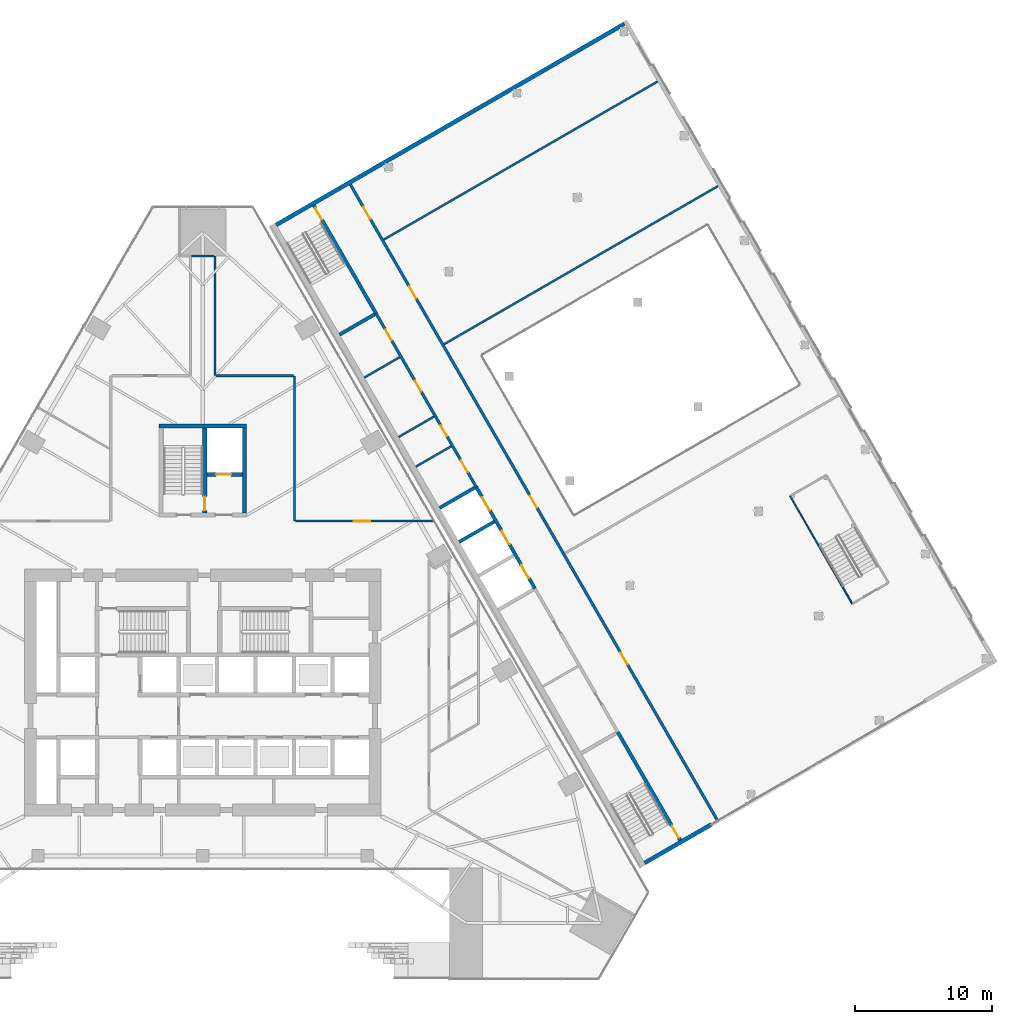
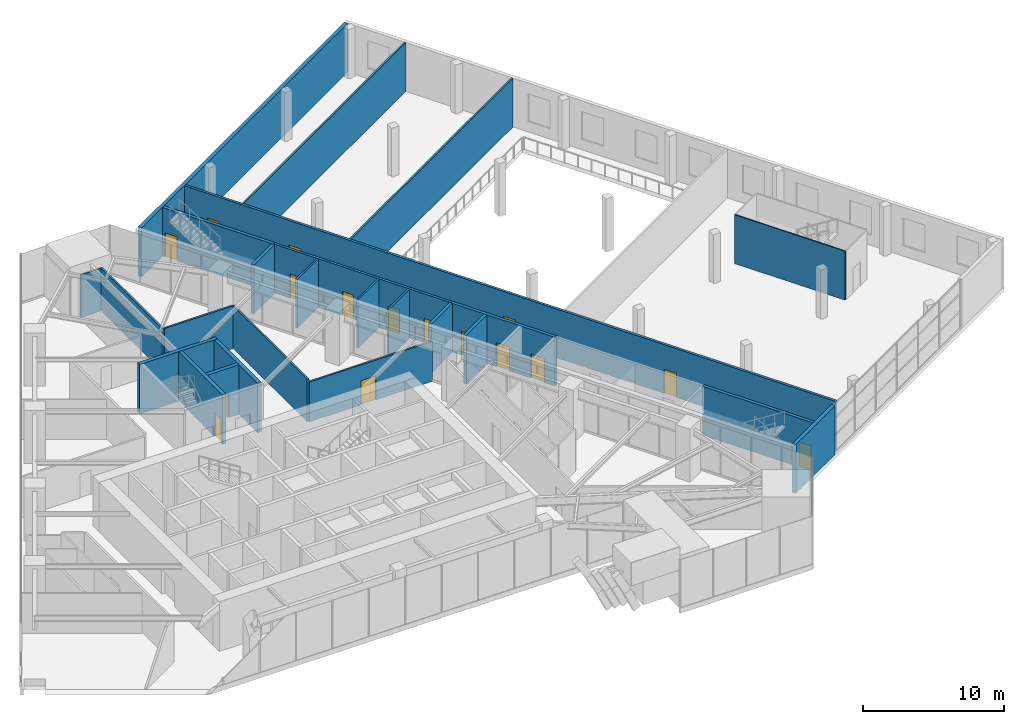
# One storey, part 20 of 30: 25 walls, 16 doors, 16 openings.
"""IFC4 building model written with IfcOpenShell, lengths in metres."""

import ifcopenshell
import ifcopenshell.guid

model = None  # the IFC model being written
_history = None  # IfcOwnerHistory: only IFC2X3 demands one
_inside = {}  # id of a spatial element -> (the spatial element, [elements in it])
_under = {}  # id of a project, library or spatial element -> (it, [spatial elements below it])
_declared = {}  # id of a project -> (the project, [libraries it declares])
_typed = {}  # id of a type object -> (the type object, [elements of that type])
_made_of = {}  # id of a material, layer set ... -> (it, [elements and type objects made of it])


def new_model(schema):
    """Start an empty IFC model of exactly this schema.

    Asked for "IFC4X3", IfcOpenShell would pick the latest addendum, in which some entities
    have other attributes; the version numbers below select the first issue.
    IFC2X3 requires an IfcOwnerHistory on every rooted entity: one is made here for all.
    """
    global model, _history
    if schema == "IFC4X3":
        model = ifcopenshell.file(schema_version=(4, 3, 0, 0))
    else:
        model = ifcopenshell.file(schema=schema)
    _inside.clear()
    _under.clear()
    _declared.clear()
    _typed.clear()
    _made_of.clear()
    _history = None
    if model.schema == "IFC2X3":
        org = make("IfcOrganization", Name="unknown")
        user = make(
            "IfcPersonAndOrganization",
            ThePerson=make("IfcPerson", FamilyName="unknown"),
            TheOrganization=org,
        )
        app = make(
            "IfcApplication",
            ApplicationDeveloper=org,
            Version="unknown",
            ApplicationFullName="unknown",
            ApplicationIdentifier="unknown",
        )
        _history = make(
            "IfcOwnerHistory",
            OwningUser=user,
            OwningApplication=app,
            ChangeAction="ADDED",
            CreationDate=0,
        )
    return model


def make(cls, **values):
    """One entity of the class cls with the attributes given. An attribute that is None is left unset."""
    return model.create_entity(
        cls, **{name: value for name, value in values.items() if value is not None}
    )


def rooted(cls, **values):
    """An entity with a GlobalId (a new one), such as an element, a storey or a relation."""
    return make(cls, GlobalId=ifcopenshell.guid.new(), OwnerHistory=_history, **values)


def si_unit(unit_type, name, prefix=None):
    """IfcSIUnit, for example si_unit("LENGTHUNIT", "METRE", prefix="MILLI")."""
    return make("IfcSIUnit", UnitType=unit_type, Prefix=prefix, Name=name)


def assignment(units):
    """IfcUnitAssignment: the units of a project."""
    return None if units is None else make("IfcUnitAssignment", Units=units)


def point(xyz):
    """IfcCartesianPoint."""
    return None if xyz is None else make("IfcCartesianPoint", Coordinates=xyz)


def direction(xyz):
    """IfcDirection."""
    return None if xyz is None else make("IfcDirection", DirectionRatios=xyz)


def frame(location, z_axis=None, x_axis=None):
    """IfcAxis2Placement3D, a coordinate frame: its origin and axes. An axis left out is left unset."""
    return make(
        "IfcAxis2Placement3D",
        Location=point(location),
        Axis=direction(z_axis),
        RefDirection=direction(x_axis),
    )


def frame_2d(location, x_axis=None):
    """IfcAxis2Placement2D, a coordinate frame in the plane: its origin and x axis."""
    return make(
        "IfcAxis2Placement2D", Location=point(location), RefDirection=direction(x_axis)
    )


def origin():
    """The frame at (0, 0, 0) with its axes left unset."""
    return frame((0.0, 0.0, 0.0))


def place(relative_to, where):
    """IfcLocalPlacement: puts the frame where relative to a parent placement (None: the world)."""
    return make(
        "IfcLocalPlacement", PlacementRelTo=relative_to, RelativePlacement=where
    )


def context(
    kind, dimensions, precision=None, world=None, true_north=None, identifier=None
):
    """IfcGeometricRepresentationContext, for example the 3D "Model" context."""
    return make(
        "IfcGeometricRepresentationContext",
        ContextIdentifier=identifier,
        ContextType=kind,
        CoordinateSpaceDimension=dimensions,
        Precision=precision,
        WorldCoordinateSystem=world,
        TrueNorth=true_north,
    )


def subcontext(parent, identifier, kind, view, scale=None):
    """IfcGeometricRepresentationSubContext, for example "Body" below "Model"."""
    return make(
        "IfcGeometricRepresentationSubContext",
        ContextIdentifier=identifier,
        ContextType=kind,
        ParentContext=parent,
        TargetScale=scale,
        TargetView=view,
    )


def project(units=None, contexts=None):
    """IfcProject with its units and contexts."""
    return rooted(
        "IfcProject",
        Name="project",
        RepresentationContexts=contexts,
        UnitsInContext=assignment(units),
    )


def spatial(cls, under=None, at=None, **own):
    """A site, building, storey or space (cls), placed at a placement, below another one or the project."""
    s = rooted(cls, ObjectPlacement=at, **own)
    if under is not None:
        _under.setdefault(under.id(), (under, []))[1].append(s)
    return s


def profile(cls, at=None, kind="AREA", **sizes):
    """A parametric profile (cls). Its sizes go by their IFC names, for example OverallWidth=200.0."""
    return make(cls, ProfileType=kind, Position=at, **sizes)


def rectangle(**sizes):
    """IfcRectangleProfileDef."""
    return profile("IfcRectangleProfileDef", **sizes)


def extrude(swept, where, along, depth):
    """IfcExtrudedAreaSolid: the profile swept, set in the frame where, extruded along a direction by depth."""
    return make(
        "IfcExtrudedAreaSolid",
        SweptArea=swept,
        Position=where,
        ExtrudedDirection=direction(along),
        Depth=depth,
    )


def shape(context_of_items, identifier, shape_type, items):
    """IfcShapeRepresentation: the items that make up one representation, for example the "Body"."""
    return make(
        "IfcShapeRepresentation",
        ContextOfItems=context_of_items,
        RepresentationIdentifier=identifier,
        RepresentationType=shape_type,
        Items=items,
    )


def material(Name=None, Category=None):
    """IfcMaterial."""
    return make("IfcMaterial", Name=Name, Category=Category)


def layer(
    of_material, thickness, ventilated=None, Name=None, Category=None, Priority=None
):
    """IfcMaterialLayer: one layer of a wall or slab, of a material (None: an air gap)."""
    return make(
        "IfcMaterialLayer",
        Material=of_material,
        LayerThickness=thickness,
        IsVentilated=ventilated,
        Name=Name,
        Category=Category,
        Priority=Priority,
    )


def layer_set(layers, Name=None):
    """IfcMaterialLayerSet."""
    return make("IfcMaterialLayerSet", MaterialLayers=layers, LayerSetName=Name)


def made_of(thing, what):
    """Note that an element or type object is made of a material, layer set ...; save() writes the relation."""
    if what is not None:
        _made_of.setdefault(what.id(), (what, []))[1].append(thing)
    return thing


def type_object(cls, material=None, **own):
    """A type object (cls), such as IfcWallType, which elements share."""
    return made_of(rooted(cls, **own), material)


def element(
    cls,
    number,
    at=None,
    inside=None,
    cuts=None,
    type_object=None,
    material=None,
    context=None,
    identifier="Body",
    shape_type=None,
    held_by="IfcProductDefinitionShape",
    body=None,
    shapes=None,
    **own,
):
    """One element of the class cls, such as IfcWall. Its Tag is "e" and its number.

    at: its placement. inside: the storey or other place that contains it. cuts: it is an
    opening in that element (IfcRelVoidsElement). A single representation is given by context,
    identifier, shape_type and body (its items); several are given by shapes. held_by: the class
    of the entity that holds the representations. save() writes the other relations.
    """
    e = rooted(cls, Tag="e%d" % number, ObjectPlacement=at, **own)
    if body is not None:
        shapes = [shape(context, identifier, shape_type, body)]
    if shapes is not None:
        e.Representation = make(held_by, Representations=shapes)
    if inside is not None:
        _inside.setdefault(inside.id(), (inside, []))[1].append(e)
    if cuts is not None:
        rooted(
            "IfcRelVoidsElement", RelatingBuildingElement=cuts, RelatedOpeningElement=e
        )
    if type_object is not None:
        _typed.setdefault(type_object.id(), (type_object, []))[1].append(e)
    return made_of(e, material)


def fill(opening, filler):
    """IfcRelFillsElement: the door or window that sits in an opening."""
    return rooted(
        "IfcRelFillsElement",
        RelatingOpeningElement=opening,
        RelatedBuildingElement=filler,
    )


def aggregate(whole, parts):
    """IfcRelAggregates: a whole, such as a stair, and the parts it consists of."""
    return rooted("IfcRelAggregates", RelatingObject=whole, RelatedObjects=parts)


def save(model, path):
    """Write the relations noted so far, then the file.

    IfcRelAggregates (storeys below a building ...), IfcRelContainedInSpatialStructure (elements
    in a storey), IfcRelDefinesByType, IfcRelAssociatesMaterial and IfcRelDeclares: one each for
    every whole, place, type object, material and project.
    """
    for whole, parts in _under.values():
        aggregate(whole, parts)
    for where, things in _inside.values():
        rooted(
            "IfcRelContainedInSpatialStructure",
            RelatedElements=things,
            RelatingStructure=where,
        )
    for kind, things in _typed.values():
        rooted("IfcRelDefinesByType", RelatedObjects=things, RelatingType=kind)
    for what, things in _made_of.values():
        rooted("IfcRelAssociatesMaterial", RelatedObjects=things, RelatingMaterial=what)
    for by, libraries in _declared.values():
        rooted("IfcRelDeclares", RelatingContext=by, RelatedDefinitions=libraries)
    model.write(path)


model = new_model("IFC4")

# Units and contexts
model_context = context("Model", 3, precision=1e-05, world=origin(), true_north=direction((0.0, 1.0)))
body_context = subcontext(model_context, "Body", "Model", "MODEL_VIEW")
ifc_project = project(units=[si_unit("LENGTHUNIT", "METRE"), si_unit("AREAUNIT", "SQUARE_METRE"), si_unit("VOLUMEUNIT", "CUBIC_METRE"), si_unit("PLANEANGLEUNIT", "RADIAN"), si_unit("MASSUNIT", "GRAM", prefix="KILO")], contexts=[model_context])

# Site, building, storey
site_placement = place(None, origin())
site = spatial("IfcSite", under=ifc_project, at=site_placement, CompositionType="ELEMENT")
building_placement = place(site_placement, origin())
building = spatial("IfcBuilding", under=site, at=building_placement, Name="Firuza Gate Tower and Library", CompositionType="ELEMENT")
storey_placement = place(building_placement, frame((0.0, 0.0, 12.60009765625)))
storey = spatial("IfcBuildingStorey", under=building, at=storey_placement, Name="L02", CompositionType="ELEMENT", Elevation=12.60009765625)

# Walls
ifc_material_1 = material(Name="Concrete C80/95", Category="concrete")
ifc_layer_1 = layer(ifc_material_1, 0.300048828125)
ifc_layer_set_1 = layer_set([ifc_layer_1], Name="Core wall 300 C80/95")
wall_type_1 = type_object("IfcWallType", Name="Core wall 300 C80/95", PredefinedType="SHEAR", material=ifc_layer_set_1)
wall_1_placement = place(storey_placement, frame((71.800048828125, 94.449951171875, 0.0), z_axis=(0.0, 0.0, 1.0), x_axis=(1.0, 0.0, 0.0)))
element("IfcWall", 1, at=wall_1_placement, inside=storey, type_object=wall_type_1, Name="Core wall L02 35", PredefinedType="SHEAR", context=body_context, shape_type="SweptSolid", body=[
    extrude(rectangle(XDim=6.39990234375, YDim=0.300048828125, at=frame_2d((3.199951171875, 0.0))), origin(), (0.0, 0.0, 1.0), 4.2998046875),
])
wall_2_placement = place(storey_placement, frame((78.050048828125, 88.10009765625, 0.0), z_axis=(0.0, 0.0, 1.0), x_axis=(0.0, 1.0, 0.0)))
element("IfcWall", 2, at=wall_2_placement, inside=storey, type_object=wall_type_1, Name="Core wall L02 37", PredefinedType="SHEAR", context=body_context, shape_type="SweptSolid", body=[
    extrude(rectangle(XDim=6.199951171875, YDim=0.300048828125, at=frame_2d((3.10009765625, 0.0))), origin(), (0.0, 0.0, 1.0), 4.2998046875),
])

# Wall, opening, door
wall_3_placement = place(storey_placement, frame((75.300048828125, 90.89990234375, 0.0), z_axis=(0.0, 0.0, 1.0), x_axis=(1.0, 0.0, 0.0)))
wall_3 = element("IfcWall", 3, at=wall_3_placement, inside=storey, type_object=wall_type_1, Name="Core wall L02 38", PredefinedType="SHEAR", context=body_context, shape_type="SweptSolid", body=[
    extrude(rectangle(XDim=2.599853515625, YDim=0.300048828125, at=frame_2d((1.2998046875, 0.0))), origin(), (0.0, 0.0, 1.0), 4.2998046875),
])
opening_1_placement = place(wall_3_placement, frame((0.675048828125, 0.0, 0.0)))
opening_1 = element("IfcOpeningElement", 4, at=opening_1_placement, cuts=wall_3, Name="Opening LD-SV1-L02", PredefinedType="OPENING", context=body_context, shape_type="SweptSolid", body=[
    extrude(rectangle(XDim=1.10009765625, YDim=2.10009765625, at=frame_2d((0.550048828125, 1.050048828125))), frame((0.0, 0.16015625, 0.0), z_axis=(0.0, -1.0, 0.0), x_axis=(1.0, 0.0, 0.0)), (0.0, 0.0, 1.0), 0.320068359375),
])
ifc_material_2 = material(Name="Stainless steel", Category="steel")
door_type_1 = type_object("IfcDoorType", Name="Lift landing door 1100x2100", OperationType="DOUBLE_DOOR_SLIDING", PredefinedType="DOOR", material=ifc_material_2)
door_1_placement = place(opening_1_placement, origin())
door_1 = element("IfcDoor", 5, at=door_1_placement, inside=storey, type_object=door_type_1, Name="Landing door SV1 L02", OperationType="DOUBLE_DOOR_SLIDING", OverallHeight=2.10009765625, OverallWidth=1.10009765625, PredefinedType="DOOR", context=body_context, shape_type="SweptSolid", body=[
    extrude(rectangle(XDim=1.10009765625, YDim=2.10009765625, at=frame_2d((0.550048828125, 1.050048828125))), frame((0.0, 0.02490234375, 0.0), z_axis=(0.0, -1.0, 0.0), x_axis=(1.0, 0.0, 0.0)), (0.0, 0.0, 1.0), 0.050048828125),
])
fill(opening_1, door_1)

wall_4_placement = place(storey_placement, frame((75.14990234375, 88.10009765625, 0.0), z_axis=(0.0, 0.0, 1.0), x_axis=(0.0, 1.0, 0.0)))
wall_4 = element("IfcWall", 6, at=wall_4_placement, inside=storey, type_object=wall_type_1, Name="Core wall L02 39", PredefinedType="SHEAR", context=body_context, shape_type="SweptSolid", body=[
    extrude(rectangle(XDim=6.199951171875, YDim=0.300048828125, at=frame_2d((3.10009765625, 0.0))), origin(), (0.0, 0.0, 1.0), 4.2998046875),
])
opening_2_placement = place(wall_4_placement, frame((0.18505859375, 0.0, 0.0)))
opening_2 = element("IfcOpeningElement", 7, at=opening_2_placement, cuts=wall_4, Name="Opening L02-K18", PredefinedType="OPENING", context=body_context, shape_type="SweptSolid", body=[
    extrude(rectangle(XDim=1.0, YDim=2.10009765625, at=frame_2d((0.5, 1.050048828125))), frame((0.0, 0.16015625, 0.0), z_axis=(0.0, -1.0, 0.0), x_axis=(1.0, 0.0, 0.0)), (0.0, 0.0, 1.0), 0.320068359375),
])
ifc_material_3 = material(Name="Steel", Category="steel")
door_type_2 = type_object("IfcDoorType", Name="Fire door 1000x2100 FD90", OperationType="NOTDEFINED", PredefinedType="DOOR", material=ifc_material_3)
door_2_placement = place(opening_2_placement, origin())
door_2 = element("IfcDoor", 8, at=door_2_placement, inside=storey, type_object=door_type_2, Name="Door L02-K18", OperationType="SINGLE_SWING_LEFT", OverallHeight=2.10009765625, OverallWidth=1.0, PredefinedType="DOOR", context=body_context, shape_type="SweptSolid", body=[
    extrude(rectangle(XDim=1.0, YDim=2.10009765625, at=frame_2d((0.5, 1.050048828125))), frame((0.0, 0.02490234375, 0.0), z_axis=(0.0, -1.0, 0.0), x_axis=(1.0, 0.0, 0.0)), (0.0, 0.0, 1.0), 0.050048828125),
])
fill(opening_2, door_2)

ifc_material_4 = material(Name="Gypsum board partition")
ifc_layer_2 = layer(ifc_material_4, 0.14990234375)
ifc_layer_set_2 = layer_set([ifc_layer_2], Name="Corridor wall 150 double board on steel studs")
wall_type_2 = type_object("IfcWallType", Name="Corridor wall 150 double board on steel studs", PredefinedType="PARTITIONING", material=ifc_layer_set_2)
wall_5_placement = place(storey_placement, frame((81.775146484375, 87.499755859375, 0.0), z_axis=(0.0, 0.0, 1.0), x_axis=(1.0, 0.0, 0.0)))
wall_5 = element("IfcWall", 9, at=wall_5_placement, inside=storey, type_object=wall_type_2, Name="f:L02:w001", PredefinedType="PARTITIONING", context=body_context, shape_type="SweptSolid", body=[
    extrude(rectangle(XDim=10.077392578125, YDim=0.14990234375, at=frame_2d((5.03857421875, 0.0))), origin(), (0.0, 0.0, 1.0), 3.46484375),
])
opening_3_placement = place(wall_5_placement, frame((4.23095703125, 0.0, 0.0)))
opening_3 = element("IfcOpeningElement", 10, at=opening_3_placement, cuts=wall_5, Name="Opening L02-02", PredefinedType="OPENING", context=body_context, shape_type="SweptSolid", body=[
    extrude(rectangle(XDim=1.199951171875, YDim=2.10009765625, at=frame_2d((0.60009765625, 1.050048828125))), frame((0.0, 0.0849609375, 0.0), z_axis=(0.0, -1.0, 0.0), x_axis=(1.0, 0.0, 0.0)), (0.0, 0.0, 1.0), 0.169921875),
])
ifc_material_5 = material(Name="Steel door and timber leaf", Category="steel")
door_type_3 = type_object("IfcDoorType", Name="Fire door 1200 x 2100 steel frame, double leaf", OperationType="NOTDEFINED", PredefinedType="DOOR", material=ifc_material_5)
door_3_placement = place(opening_3_placement, origin())
door_3 = element("IfcDoor", 11, at=door_3_placement, inside=storey, type_object=door_type_3, Name="f:L02:d002", OperationType="DOUBLE_DOOR_SINGLE_SWING", OverallHeight=2.10009765625, OverallWidth=1.199951171875, PredefinedType="DOOR", context=body_context, shape_type="SweptSolid", body=[
    extrude(rectangle(XDim=1.199951171875, YDim=2.10009765625, at=frame_2d((0.60009765625, 1.050048828125))), frame((0.0, 0.02490234375, 0.0), z_axis=(0.0, -1.0, 0.0), x_axis=(1.0, 0.0, 0.0)), (0.0, 0.0, 1.0), 0.050048828125),
])
fill(opening_3, door_3)

# Walls
wall_6_placement = place(storey_placement, frame((75.97509765625, 98.10009765625, 0.0), z_axis=(0.0, 0.0, 1.0), x_axis=(1.0, 0.0, 0.0)))
element("IfcWall", 12, at=wall_6_placement, inside=storey, type_object=wall_type_2, Name="f:L02:w003", PredefinedType="PARTITIONING", context=body_context, shape_type="SweptSolid", body=[
    extrude(rectangle(XDim=5.6494140625, YDim=0.14990234375, at=frame_2d((2.82470703125, 0.0))), origin(), (0.0, 0.0, 1.0), 3.699951171875),
])
wall_7_placement = place(storey_placement, frame((81.699951171875, 87.5, 0.0), z_axis=(0.0, 0.0, 1.0), x_axis=(0.0, 1.0, 0.0)))
element("IfcWall", 13, at=wall_7_placement, inside=storey, type_object=wall_type_2, Name="f:L02:w016", PredefinedType="PARTITIONING", context=body_context, shape_type="SweptSolid", body=[
    extrude(rectangle(XDim=10.599365234375, YDim=0.14990234375, at=frame_2d((5.2998046875, 0.0))), origin(), (0.0, 0.0, 1.0), 3.699951171875),
])
wall_8_placement = place(storey_placement, frame((75.89990234375, 98.10009765625, 0.0), z_axis=(0.0, 0.0, 1.0), x_axis=(0.0, 1.0, 0.0)))
element("IfcWall", 14, at=wall_8_placement, inside=storey, type_object=wall_type_2, Name="f:L02:w017", PredefinedType="PARTITIONING", context=body_context, shape_type="SweptSolid", body=[
    extrude(rectangle(XDim=8.733154296875, YDim=0.14990234375, at=frame_2d((4.36669921875, 0.0))), origin(), (0.0, 0.0, 1.0), 3.699951171875),
])
wall_9_placement = place(storey_placement, frame((74.175048828125, 106.833984375, 0.0), z_axis=(0.0, 0.0, 1.0), x_axis=(1.0, 0.0, 0.0)))
element("IfcWall", 15, at=wall_9_placement, inside=storey, type_object=wall_type_2, Name="f:L02:w034", PredefinedType="PARTITIONING", context=body_context, shape_type="SweptSolid", body=[
    extrude(rectangle(XDim=1.6494140625, YDim=0.14990234375, at=frame_2d((0.82470703125, 0.0))), origin(), (0.0, 0.0, 1.0), 3.697021484375),
])

# Wall, openings, doors
ifc_material_6 = material(Name="Masonry block", Category="masonry")
ifc_layer_3 = layer(ifc_material_6, 0.199951171875)
ifc_layer_set_3 = layer_set([ifc_layer_3], Name="LIB CORRIDOR WALL 200")
wall_type_3 = type_object("IfcWallType", Name="LIB CORRIDOR WALL 200", PredefinedType="PARTITIONING", material=ifc_layer_set_3)
wall_10_placement = place(storey_placement, frame((94.929931640625, 89.99951171875, 0.0), z_axis=(0.0, 0.0, 1.0), x_axis=(-0.499997667785, 0.866026750285, 0.0)))
wall_10 = element("IfcWall", 16, at=wall_10_placement, inside=storey, type_object=wall_type_3, Name="L02 corr wall 7", PredefinedType="PARTITIONING", context=body_context, shape_type="SweptSolid", body=[
    extrude(rectangle(XDim=14.58984375, YDim=0.199951171875, at=frame_2d((7.294921875, 0.0))), origin(), (0.0, 0.0, 1.0), 4.239990234375),
])
opening_4_placement = place(wall_10_placement, frame((1.235107421875, 0.0, 0.0)))
opening_4 = element("IfcOpeningElement", 17, at=opening_4_placement, cuts=wall_10, Name="Opening LIB-D2-001", PredefinedType="OPENING", context=body_context, shape_type="SweptSolid", body=[
    extrude(rectangle(XDim=1.0, YDim=2.10009765625, at=frame_2d((0.5, 1.050048828125))), frame((0.0, 0.10986328125, 0.0), z_axis=(0.0, -1.0, 0.0), x_axis=(1.0, 0.0, 0.0)), (0.0, 0.0, 1.0), 0.219970703125),
])
opening_5_placement = place(wall_10_placement, frame((4.27490234375, 0.0, 0.0)))
opening_5 = element("IfcOpeningElement", 18, at=opening_5_placement, cuts=wall_10, Name="Opening LIB-D1-003", PredefinedType="OPENING", context=body_context, shape_type="SweptSolid", body=[
    extrude(rectangle(XDim=0.89990234375, YDim=2.10009765625, at=frame_2d((0.449951171875, 1.050048828125))), frame((0.0, 0.10986328125, 0.0), z_axis=(0.0, -1.0, 0.0), x_axis=(1.0, 0.0, 0.0)), (0.0, 0.0, 1.0), 0.219970703125),
])
opening_6_placement = place(wall_10_placement, frame((8.02490234375, 0.0, 0.0)))
opening_6 = element("IfcOpeningElement", 19, at=opening_6_placement, cuts=wall_10, Name="Opening LIB-D1-004", PredefinedType="OPENING", context=body_context, shape_type="SweptSolid", body=[
    extrude(rectangle(XDim=0.89990234375, YDim=2.10009765625, at=frame_2d((0.449951171875, 1.050048828125))), frame((0.0, 0.10986328125, 0.0), z_axis=(0.0, -1.0, 0.0), x_axis=(1.0, 0.0, 0.0)), (0.0, 0.0, 1.0), 0.219970703125),
])
opening_7_placement = place(wall_10_placement, frame((12.324951171875, 0.0, 0.0)))
opening_7 = element("IfcOpeningElement", 20, at=opening_7_placement, cuts=wall_10, Name="Opening LIB-D1-005", PredefinedType="OPENING", context=body_context, shape_type="SweptSolid", body=[
    extrude(rectangle(XDim=0.89990234375, YDim=2.10009765625, at=frame_2d((0.449951171875, 1.050048828125))), frame((0.0, 0.10986328125, 0.0), z_axis=(0.0, -1.0, 0.0), x_axis=(1.0, 0.0, 0.0)), (0.0, 0.0, 1.0), 0.219970703125),
])
ifc_material_7 = material(Name="Timber door leaf", Category="wood")
door_type_4 = type_object("IfcDoorType", Name="LIB DOOR 1000", OperationType="NOTDEFINED", PredefinedType="DOOR", material=ifc_material_7)
door_4_placement = place(opening_4_placement, origin())
door_4 = element("IfcDoor", 21, at=door_4_placement, inside=storey, type_object=door_type_4, Name="L02 door 5", OperationType="SINGLE_SWING_LEFT", OverallHeight=2.10009765625, OverallWidth=1.0, PredefinedType="DOOR", context=body_context, shape_type="SweptSolid", body=[
    extrude(rectangle(XDim=1.0, YDim=2.10009765625, at=frame_2d((0.5, 1.050048828125))), frame((0.0, 0.02490234375, 0.0), z_axis=(0.0, -1.0, 0.0), x_axis=(1.0, 0.0, 0.0)), (0.0, 0.0, 1.0), 0.050048828125),
])
fill(opening_4, door_4)
ifc_material_8 = material(Name="Timber door leaf", Category="wood")
door_type_5 = type_object("IfcDoorType", Name="LIB DOOR 900", OperationType="NOTDEFINED", PredefinedType="DOOR", material=ifc_material_8)
door_5_placement = place(opening_5_placement, origin())
door_5 = element("IfcDoor", 22, at=door_5_placement, inside=storey, type_object=door_type_5, Name="L02 door 6", OperationType="SINGLE_SWING_RIGHT", OverallHeight=2.10009765625, OverallWidth=0.89990234375, PredefinedType="DOOR", context=body_context, shape_type="SweptSolid", body=[
    extrude(rectangle(XDim=0.89990234375, YDim=2.10009765625, at=frame_2d((0.449951171875, 1.050048828125))), frame((0.0, 0.02490234375, 0.0), z_axis=(0.0, -1.0, 0.0), x_axis=(1.0, 0.0, 0.0)), (0.0, 0.0, 1.0), 0.050048828125),
])
fill(opening_5, door_5)
door_6_placement = place(opening_6_placement, origin())
door_6 = element("IfcDoor", 23, at=door_6_placement, inside=storey, type_object=door_type_5, Name="L02 door 10", OperationType="SINGLE_SWING_RIGHT", OverallHeight=2.10009765625, OverallWidth=0.89990234375, PredefinedType="DOOR", context=body_context, shape_type="SweptSolid", body=[
    extrude(rectangle(XDim=0.89990234375, YDim=2.10009765625, at=frame_2d((0.449951171875, 1.050048828125))), frame((0.0, 0.02490234375, 0.0), z_axis=(0.0, -1.0, 0.0), x_axis=(1.0, 0.0, 0.0)), (0.0, 0.0, 1.0), 0.050048828125),
])
fill(opening_6, door_6)
door_7_placement = place(opening_7_placement, origin())
door_7 = element("IfcDoor", 24, at=door_7_placement, inside=storey, type_object=door_type_5, Name="L02 door 11", OperationType="SINGLE_SWING_LEFT", OverallHeight=2.10009765625, OverallWidth=0.89990234375, PredefinedType="DOOR", context=body_context, shape_type="SweptSolid", body=[
    extrude(rectangle(XDim=0.89990234375, YDim=2.10009765625, at=frame_2d((0.449951171875, 1.050048828125))), frame((0.0, 0.02490234375, 0.0), z_axis=(0.0, -1.0, 0.0), x_axis=(1.0, 0.0, 0.0)), (0.0, 0.0, 1.0), 0.050048828125),
])
fill(opening_7, door_7)

wall_11_placement = place(storey_placement, frame((112.49560546875, 65.72509765625, 0.0), z_axis=(0.0, 0.0, 1.0), x_axis=(-0.499998673217, 0.866026169802, 0.0)))
wall_11 = element("IfcWall", 25, at=wall_11_placement, inside=storey, type_object=wall_type_3, Name="L02 corr wall 16", PredefinedType="PARTITIONING", context=body_context, shape_type="SweptSolid", body=[
    extrude(rectangle(XDim=53.480224609375, YDim=0.199951171875, at=frame_2d((26.740234375, 0.0))), origin(), (0.0, 0.0, 1.0), 4.239990234375),
])
opening_8_placement = place(wall_11_placement, frame((13.080078125, 0.0, 0.0)))
opening_8 = element("IfcOpeningElement", 26, at=opening_8_placement, cuts=wall_11, Name="Opening LIB-D2-003", PredefinedType="OPENING", context=body_context, shape_type="SweptSolid", body=[
    extrude(rectangle(XDim=1.0, YDim=2.10009765625, at=frame_2d((0.5, 1.050048828125))), frame((0.0, 0.10986328125, 0.0), z_axis=(0.0, -1.0, 0.0), x_axis=(1.0, 0.0, 0.0)), (0.0, 0.0, 1.0), 0.219970703125),
])
opening_9_placement = place(wall_11_placement, frame((26.280029296875, 0.0, 0.0)))
opening_9 = element("IfcOpeningElement", 27, at=opening_9_placement, cuts=wall_11, Name="Opening LIB-D2-004", PredefinedType="OPENING", context=body_context, shape_type="SweptSolid", body=[
    extrude(rectangle(XDim=1.0, YDim=2.10009765625, at=frame_2d((0.5, 1.050048828125))), frame((0.0, 0.10986328125, 0.0), z_axis=(0.0, -1.0, 0.0), x_axis=(1.0, 0.0, 0.0)), (0.0, 0.0, 1.0), 0.219970703125),
])
opening_10_placement = place(wall_11_placement, frame((43.8798828125, 0.0, 0.0)))
opening_10 = element("IfcOpeningElement", 28, at=opening_10_placement, cuts=wall_11, Name="Opening LIB-D2-005", PredefinedType="OPENING", context=body_context, shape_type="SweptSolid", body=[
    extrude(rectangle(XDim=1.0, YDim=2.10009765625, at=frame_2d((0.5, 1.050048828125))), frame((0.0, 0.10986328125, 0.0), z_axis=(0.0, -1.0, 0.0), x_axis=(1.0, 0.0, 0.0)), (0.0, 0.0, 1.0), 0.219970703125),
])
opening_11_placement = place(wall_11_placement, frame((50.580078125, 0.0, 0.0)))
opening_11 = element("IfcOpeningElement", 29, at=opening_11_placement, cuts=wall_11, Name="Opening LIB-D2-006", PredefinedType="OPENING", context=body_context, shape_type="SweptSolid", body=[
    extrude(rectangle(XDim=1.0, YDim=2.10009765625, at=frame_2d((0.5, 1.050048828125))), frame((0.0, 0.10986328125, 0.0), z_axis=(0.0, -1.0, 0.0), x_axis=(1.0, 0.0, 0.0)), (0.0, 0.0, 1.0), 0.219970703125),
])
door_8_placement = place(opening_8_placement, origin())
door_8 = element("IfcDoor", 30, at=door_8_placement, inside=storey, type_object=door_type_4, Name="L02 door 13", OperationType="SINGLE_SWING_LEFT", OverallHeight=2.10009765625, OverallWidth=1.0, PredefinedType="DOOR", context=body_context, shape_type="SweptSolid", body=[
    extrude(rectangle(XDim=1.0, YDim=2.10009765625, at=frame_2d((0.5, 1.050048828125))), frame((0.0, 0.02490234375, 0.0), z_axis=(0.0, -1.0, 0.0), x_axis=(1.0, 0.0, 0.0)), (0.0, 0.0, 1.0), 0.050048828125),
])
fill(opening_8, door_8)
door_9_placement = place(opening_9_placement, origin())
door_9 = element("IfcDoor", 31, at=door_9_placement, inside=storey, type_object=door_type_4, Name="L02 door 14", OperationType="SINGLE_SWING_RIGHT", OverallHeight=2.10009765625, OverallWidth=1.0, PredefinedType="DOOR", context=body_context, shape_type="SweptSolid", body=[
    extrude(rectangle(XDim=1.0, YDim=2.10009765625, at=frame_2d((0.5, 1.050048828125))), frame((0.0, 0.02490234375, 0.0), z_axis=(0.0, -1.0, 0.0), x_axis=(1.0, 0.0, 0.0)), (0.0, 0.0, 1.0), 0.050048828125),
])
fill(opening_9, door_9)
door_10_placement = place(opening_10_placement, origin())
door_10 = element("IfcDoor", 32, at=door_10_placement, inside=storey, type_object=door_type_4, Name="L02 door 15", OperationType="SINGLE_SWING_LEFT", OverallHeight=2.10009765625, OverallWidth=1.0, PredefinedType="DOOR", context=body_context, shape_type="SweptSolid", body=[
    extrude(rectangle(XDim=1.0, YDim=2.10009765625, at=frame_2d((0.5, 1.050048828125))), frame((0.0, 0.02490234375, 0.0), z_axis=(0.0, -1.0, 0.0), x_axis=(1.0, 0.0, 0.0)), (0.0, 0.0, 1.0), 0.050048828125),
])
fill(opening_10, door_10)
door_11_placement = place(opening_11_placement, origin())
door_11 = element("IfcDoor", 33, at=door_11_placement, inside=storey, type_object=door_type_4, Name="L02 door 16", OperationType="SINGLE_SWING_RIGHT", OverallHeight=2.10009765625, OverallWidth=1.0, PredefinedType="DOOR", context=body_context, shape_type="SweptSolid", body=[
    extrude(rectangle(XDim=1.0, YDim=2.10009765625, at=frame_2d((0.5, 1.050048828125))), frame((0.0, 0.02490234375, 0.0), z_axis=(0.0, -1.0, 0.0), x_axis=(1.0, 0.0, 0.0)), (0.0, 0.0, 1.0), 0.050048828125),
])
fill(opening_11, door_11)

# Walls
ifc_material_9 = material(Name="Concrete C30/37", Category="concrete")
ifc_layer_4 = layer(ifc_material_9, 0.300048828125)
ifc_layer_set_4 = layer_set([ifc_layer_4], Name="LIB EXTERNAL WALL 300")
wall_type_4 = type_object("IfcWallType", Name="LIB EXTERNAL WALL 300", PredefinedType="SOLIDWALL", material=ifc_layer_set_4)
wall_12_placement = place(storey_placement, frame((107.204345703125, 62.589599609375, 0.0), z_axis=(0.0, 0.0, 1.0), x_axis=(0.866045472092, 0.499965239061, 0.0)))
element("IfcWall", 34, at=wall_12_placement, inside=storey, type_object=wall_type_4, Name="L02 south wall S1", PredefinedType="SOLIDWALL", context=body_context, shape_type="SweptSolid", body=[
    extrude(rectangle(XDim=5.60009765625, YDim=0.300048828125, at=frame_2d((2.800048828125, 0.0))), origin(), (0.0, 0.0, 1.0), 4.239990234375),
])
wall_13_placement = place(storey_placement, frame((80.3544921875, 109.09521484375, 0.0), z_axis=(0.0, 0.0, 1.0), x_axis=(0.866026568746, 0.499997982221, 0.0)))
element("IfcWall", 35, at=wall_13_placement, inside=storey, type_object=wall_type_4, Name="L02 north wall", PredefinedType="SOLIDWALL", context=body_context, shape_type="SweptSolid", body=[
    extrude(rectangle(XDim=29.2998046875, YDim=0.300048828125, at=frame_2d((14.64990234375, 0.0))), origin(), (0.0, 0.0, 1.0), 4.239990234375),
])
ifc_material_10 = material(Name="Laminated glass", Category="glass")
ifc_layer_5 = layer(ifc_material_10, 0.10009765625)
ifc_layer_set_5 = layer_set([ifc_layer_5], Name="LIB GLAZED STAIR SCREEN 100")
wall_type_5 = type_object("IfcWallType", Name="LIB GLAZED STAIR SCREEN 100", PredefinedType="PARTITIONING", material=ifc_layer_set_5)
wall_14_placement = place(storey_placement, frame((122.333251953125, 81.485595703125, 0.0), z_axis=(0.0, 0.0, 1.0), x_axis=(-0.500002365587, 0.866024038008, 0.0)))
element("IfcWall", 36, at=wall_14_placement, inside=storey, type_object=wall_type_5, Name="L02 glass wall 18", PredefinedType="PARTITIONING", context=body_context, shape_type="SweptSolid", body=[
    extrude(rectangle(XDim=9.06005859375, YDim=0.10009765625, at=frame_2d((4.530029296875, 0.0))), origin(), (0.0, 0.0, 1.0), 4.239990234375),
])
ifc_material_11 = material(Name="Gypsum board on steel studs", Category="steel")
ifc_layer_6 = layer(ifc_material_11, 0.14990234375)
ifc_layer_set_6 = layer_set([ifc_layer_6], Name="LIB PARTITION 150")
wall_type_6 = type_object("IfcWallType", Name="LIB PARTITION 150", PredefinedType="PARTITIONING", material=ifc_layer_set_6)
for number, where, z_axis, x_axis, name in (
    (37, (90.529296875, 91.471435546875, 0.0), (0.0, 0.0, 1.0), (0.866017493347, 0.500013701029, 0.0), "L02 part wall 12"),
    (38, (89.279296875, 93.636474609375, 0.0), (0.0, 0.0, 1.0), (0.866017493347, 0.500013701029, 0.0), "L02 part wall 13"),
):
    element("IfcWall", number, at=place(storey_placement, frame(where, z_axis=z_axis, x_axis=x_axis)), inside=storey, type_object=wall_type_6, Name=name, PredefinedType="PARTITIONING", context=body_context, shape_type="SweptSolid", body=[
        extrude(rectangle(XDim=2.97509765625, YDim=0.14990234375, at=frame_2d((1.487548828125, 0.0))), origin(), (0.0, 0.0, 1.0), 4.239990234375),
    ])
wall_15_placement = place(storey_placement, frame((86.779296875, 97.966796875, 0.0), z_axis=(0.0, 0.0, 1.0), x_axis=(0.866053027861, 0.499952150643, 0.0)))
element("IfcWall", 39, at=wall_15_placement, inside=storey, type_object=wall_type_6, Name="L02 part wall 14", PredefinedType="PARTITIONING", context=body_context, shape_type="SweptSolid", body=[
    extrude(rectangle(XDim=2.974853515625, YDim=0.14990234375, at=frame_2d((1.4873046875, 0.0))), origin(), (0.0, 0.0, 1.0), 4.239990234375),
])
for number, where, z_axis, x_axis, name in (
    (40, (92.592041015625, 100.398681640625, 0.0), (0.0, 0.0, 1.0), (0.866022961126, 0.500004230785, 0.0), "L02 part wall 22"),
    (41, (88.192138671875, 108.02001953125, 0.0), (0.0, 0.0, 1.0), (0.866027547497, 0.499996286962, 0.0), "L02 part wall 23"),
):
    element("IfcWall", number, at=place(storey_placement, frame(where, z_axis=z_axis, x_axis=x_axis)), inside=storey, type_object=wall_type_6, Name=name, PredefinedType="PARTITIONING", context=body_context, shape_type="SweptSolid", body=[
        extrude(rectangle(XDim=23.050048828125, YDim=0.14990234375, at=frame_2d((11.52490234375, 0.0))), origin(), (0.0, 0.0, 1.0), 4.239990234375),
    ])

# Wall, opening, door
ifc_material_12 = material(Name="Concrete C40/50", Category="concrete")
ifc_layer_7 = layer(ifc_material_12, 0.25)
ifc_layer_set_7 = layer_set([ifc_layer_7], Name="LIB SHAFT WALL 250")
wall_type_7 = type_object("IfcWallType", Name="LIB SHAFT WALL 250", PredefinedType="SOLIDWALL", material=ifc_layer_set_7)
wall_16_placement = place(storey_placement, frame((109.79248046875, 64.2568359375, 0.0), z_axis=(0.0, 0.0, 1.0), x_axis=(-0.499994616197, 0.866028512102, 0.0)))
wall_16 = element("IfcWall", 42, at=wall_16_placement, inside=storey, type_object=wall_type_7, Name="L02 shaft wall 2", PredefinedType="SOLIDWALL", context=body_context, shape_type="SweptSolid", body=[
    extrude(rectangle(XDim=9.0849609375, YDim=0.25, at=frame_2d((4.54248046875, 0.0))), origin(), (0.0, 0.0, 1.0), 4.239990234375),
])
opening_12_placement = place(wall_16_placement, frame((0.199951171875, 0.0, 0.0)))
opening_12 = element("IfcOpeningElement", 43, at=opening_12_placement, cuts=wall_16, Name="Opening LIB-D4-001", PredefinedType="OPENING", context=body_context, shape_type="SweptSolid", body=[
    extrude(rectangle(XDim=1.0, YDim=2.10009765625, at=frame_2d((0.5, 1.050048828125))), frame((0.0, 0.135009765625, 0.0), z_axis=(0.0, -1.0, 0.0), x_axis=(1.0, 0.0, 0.0)), (0.0, 0.0, 1.0), 0.27001953125),
])
ifc_material_13 = material(Name="Steel S235 door leaf", Category="steel")
door_type_6 = type_object("IfcDoorType", Name="LIB FIRE DOOR 1000", OperationType="NOTDEFINED", PredefinedType="DOOR", material=ifc_material_13)
door_12_placement = place(opening_12_placement, origin())
door_12 = element("IfcDoor", 44, at=door_12_placement, inside=storey, type_object=door_type_6, Name="L02 door 1", OperationType="SINGLE_SWING_LEFT", OverallHeight=2.10009765625, OverallWidth=1.0, PredefinedType="DOOR", context=body_context, shape_type="SweptSolid", body=[
    extrude(rectangle(XDim=1.0, YDim=2.10009765625, at=frame_2d((0.5, 1.050048828125))), frame((0.0, 0.02490234375, 0.0), z_axis=(0.0, -1.0, 0.0), x_axis=(1.0, 0.0, 0.0)), (0.0, 0.0, 1.0), 0.050048828125),
])
fill(opening_12, door_12)

# Wall, openings, doors
wall_17_placement = place(storey_placement, frame((99.205078125, 82.594970703125, 0.0), z_axis=(0.0, 0.0, 1.0), x_axis=(-0.500011643316, 0.866018681408, 0.0)))
wall_17 = element("IfcWall", 45, at=wall_17_placement, inside=storey, type_object=wall_type_7, Name="L02 shaft wall 3", PredefinedType="SOLIDWALL", context=body_context, shape_type="SweptSolid", body=[
    extrude(rectangle(XDim=8.550048828125, YDim=0.25, at=frame_2d((4.27490234375, 0.0))), origin(), (0.0, 0.0, 1.0), 4.239990234375),
])
opening_13_placement = place(wall_17_placement, frame((0.875, 0.0, 0.0)))
opening_13 = element("IfcOpeningElement", 46, at=opening_13_placement, cuts=wall_17, Name="Opening LIB-LD1-001", PredefinedType="OPENING", context=body_context, shape_type="SweptSolid", body=[
    extrude(rectangle(XDim=1.10009765625, YDim=2.10009765625, at=frame_2d((0.550048828125, 1.050048828125))), frame((0.0, 0.135009765625, 0.0), z_axis=(0.0, -1.0, 0.0), x_axis=(1.0, 0.0, 0.0)), (0.0, 0.0, 1.0), 0.27001953125),
])
opening_14_placement = place(wall_17_placement, frame((3.72509765625, 0.0, 0.0)))
opening_14 = element("IfcOpeningElement", 47, at=opening_14_placement, cuts=wall_17, Name="Opening LIB-LD1-002", PredefinedType="OPENING", context=body_context, shape_type="SweptSolid", body=[
    extrude(rectangle(XDim=1.10009765625, YDim=2.10009765625, at=frame_2d((0.550048828125, 1.050048828125))), frame((0.0, 0.135009765625, 0.0), z_axis=(0.0, -1.0, 0.0), x_axis=(1.0, 0.0, 0.0)), (0.0, 0.0, 1.0), 0.27001953125),
])
opening_15_placement = place(wall_17_placement, frame((6.574951171875, 0.0, 0.0)))
opening_15 = element("IfcOpeningElement", 48, at=opening_15_placement, cuts=wall_17, Name="Opening LIB-LD1-003", PredefinedType="OPENING", context=body_context, shape_type="SweptSolid", body=[
    extrude(rectangle(XDim=1.10009765625, YDim=2.10009765625, at=frame_2d((0.550048828125, 1.050048828125))), frame((0.0, 0.135009765625, 0.0), z_axis=(0.0, -1.0, 0.0), x_axis=(1.0, 0.0, 0.0)), (0.0, 0.0, 1.0), 0.27001953125),
])
ifc_material_14 = material(Name="Stainless steel 316", Category="steel")
door_type_7 = type_object("IfcDoorType", Name="LIB LANDING DOOR 1100", OperationType="DOUBLE_DOOR_SLIDING", PredefinedType="DOOR", material=ifc_material_14)
door_13_placement = place(opening_13_placement, origin())
door_13 = element("IfcDoor", 49, at=door_13_placement, inside=storey, type_object=door_type_7, Name="L02 door 7", OperationType="DOUBLE_DOOR_SLIDING", OverallHeight=2.10009765625, OverallWidth=1.10009765625, PredefinedType="DOOR", context=body_context, shape_type="SweptSolid", body=[
    extrude(rectangle(XDim=1.10009765625, YDim=2.10009765625, at=frame_2d((0.550048828125, 1.050048828125))), frame((0.0, 0.02490234375, 0.0), z_axis=(0.0, -1.0, 0.0), x_axis=(1.0, 0.0, 0.0)), (0.0, 0.0, 1.0), 0.050048828125),
])
fill(opening_13, door_13)
door_14_placement = place(opening_14_placement, origin())
door_14 = element("IfcDoor", 50, at=door_14_placement, inside=storey, type_object=door_type_7, Name="L02 door 8", OperationType="DOUBLE_DOOR_SLIDING", OverallHeight=2.10009765625, OverallWidth=1.10009765625, PredefinedType="DOOR", context=body_context, shape_type="SweptSolid", body=[
    extrude(rectangle(XDim=1.10009765625, YDim=2.10009765625, at=frame_2d((0.550048828125, 1.050048828125))), frame((0.0, 0.02490234375, 0.0), z_axis=(0.0, -1.0, 0.0), x_axis=(1.0, 0.0, 0.0)), (0.0, 0.0, 1.0), 0.050048828125),
])
fill(opening_14, door_14)
door_15_placement = place(opening_15_placement, origin())
door_15 = element("IfcDoor", 51, at=door_15_placement, inside=storey, type_object=door_type_7, Name="L02 door 9", OperationType="DOUBLE_DOOR_SLIDING", OverallHeight=2.10009765625, OverallWidth=1.10009765625, PredefinedType="DOOR", context=body_context, shape_type="SweptSolid", body=[
    extrude(rectangle(XDim=1.10009765625, YDim=2.10009765625, at=frame_2d((0.550048828125, 1.050048828125))), frame((0.0, 0.02490234375, 0.0), z_axis=(0.0, -1.0, 0.0), x_axis=(1.0, 0.0, 0.0)), (0.0, 0.0, 1.0), 0.050048828125),
])
fill(opening_15, door_15)

# Wall, opening, door
wall_18_placement = place(storey_placement, frame((87.635009765625, 102.634765625, 0.0), z_axis=(0.0, 0.0, 1.0), x_axis=(-0.499994616197, 0.866028512102, 0.0)))
wall_18 = element("IfcWall", 52, at=wall_18_placement, inside=storey, type_object=wall_type_7, Name="L02 shaft wall 4", PredefinedType="SOLIDWALL", context=body_context, shape_type="SweptSolid", body=[
    extrude(rectangle(XDim=9.0849609375, YDim=0.25, at=frame_2d((4.54248046875, 0.0))), origin(), (0.0, 0.0, 1.0), 4.239990234375),
])
opening_16_placement = place(wall_18_placement, frame((7.885009765625, 0.0, 0.0)))
opening_16 = element("IfcOpeningElement", 53, at=opening_16_placement, cuts=wall_18, Name="Opening LIB-D4-002", PredefinedType="OPENING", context=body_context, shape_type="SweptSolid", body=[
    extrude(rectangle(XDim=1.0, YDim=2.10009765625, at=frame_2d((0.5, 1.050048828125))), frame((0.0, 0.135009765625, 0.0), z_axis=(0.0, -1.0, 0.0), x_axis=(1.0, 0.0, 0.0)), (0.0, 0.0, 1.0), 0.27001953125),
])
door_16_placement = place(opening_16_placement, origin())
door_16 = element("IfcDoor", 54, at=door_16_placement, inside=storey, type_object=door_type_6, Name="L02 door 2", OperationType="SINGLE_SWING_RIGHT", OverallHeight=2.10009765625, OverallWidth=1.0, PredefinedType="DOOR", context=body_context, shape_type="SweptSolid", body=[
    extrude(rectangle(XDim=1.0, YDim=2.10009765625, at=frame_2d((0.5, 1.050048828125))), frame((0.0, 0.02490234375, 0.0), z_axis=(0.0, -1.0, 0.0), x_axis=(1.0, 0.0, 0.0)), (0.0, 0.0, 1.0), 0.050048828125),
])
fill(opening_16, door_16)

# Walls
wall_19_placement = place(storey_placement, frame((93.69189453125, 85.993896484375, 0.0), z_axis=(0.0, 0.0, 1.0), x_axis=(0.866003658127, 0.500037662692, 0.0)))
element("IfcWall", 55, at=wall_19_placement, inside=storey, type_object=wall_type_7, Name="L02 shaft wall 10", PredefinedType="SOLIDWALL", context=body_context, shape_type="SweptSolid", body=[
    extrude(rectangle(XDim=2.949951171875, YDim=0.25, at=frame_2d((1.47509765625, 0.0))), origin(), (0.0, 0.0, 1.0), 4.239990234375),
])
wall_20_placement = place(storey_placement, frame((92.266845703125, 88.4619140625, 0.0), z_axis=(0.0, 0.0, 1.0), x_axis=(0.866024349092, 0.500001826776, 0.0)))
element("IfcWall", 56, at=wall_20_placement, inside=storey, type_object=wall_type_7, Name="L02 shaft wall 11", PredefinedType="SOLIDWALL", context=body_context, shape_type="SweptSolid", body=[
    extrude(rectangle(XDim=2.9501953125, YDim=0.25, at=frame_2d((1.47509765625, 0.0))), origin(), (0.0, 0.0, 1.0), 4.239990234375),
])
wall_21_placement = place(storey_placement, frame((84.971923828125, 101.097412109375, 0.0), z_axis=(0.0, 0.0, 1.0), x_axis=(0.866039495442, 0.49997559174, 0.0)))
element("IfcWall", 57, at=wall_21_placement, inside=storey, type_object=wall_type_7, Name="L02 shaft wall 15", PredefinedType="SOLIDWALL", context=body_context, shape_type="SweptSolid", body=[
    extrude(rectangle(XDim=2.949951171875, YDim=0.25, at=frame_2d((1.47509765625, 0.0))), origin(), (0.0, 0.0, 1.0), 4.239990234375),
])

save(model, "model.ifc")
